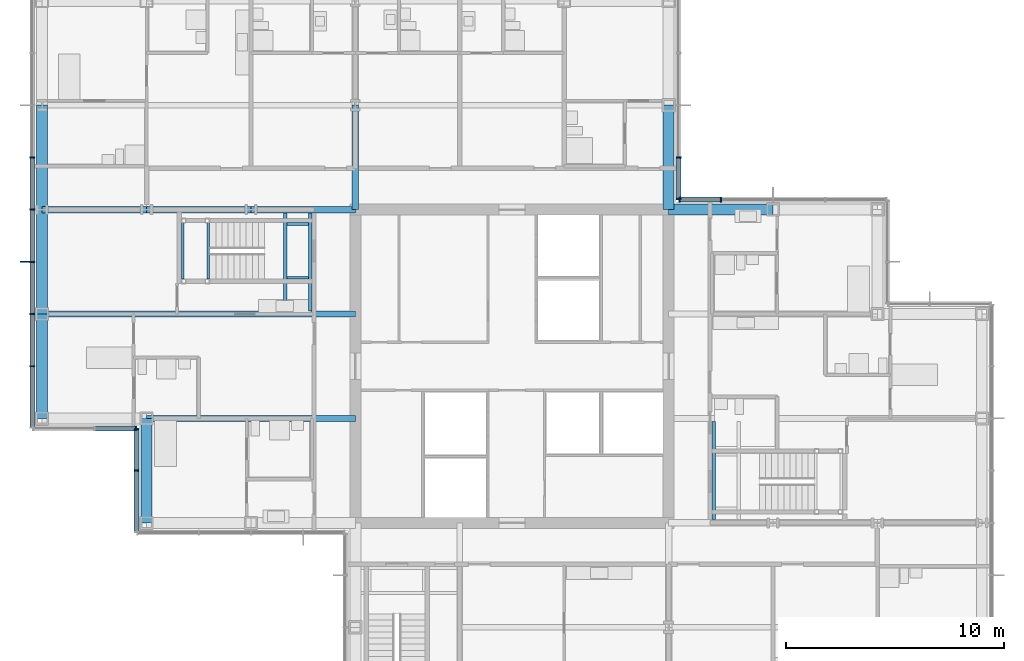
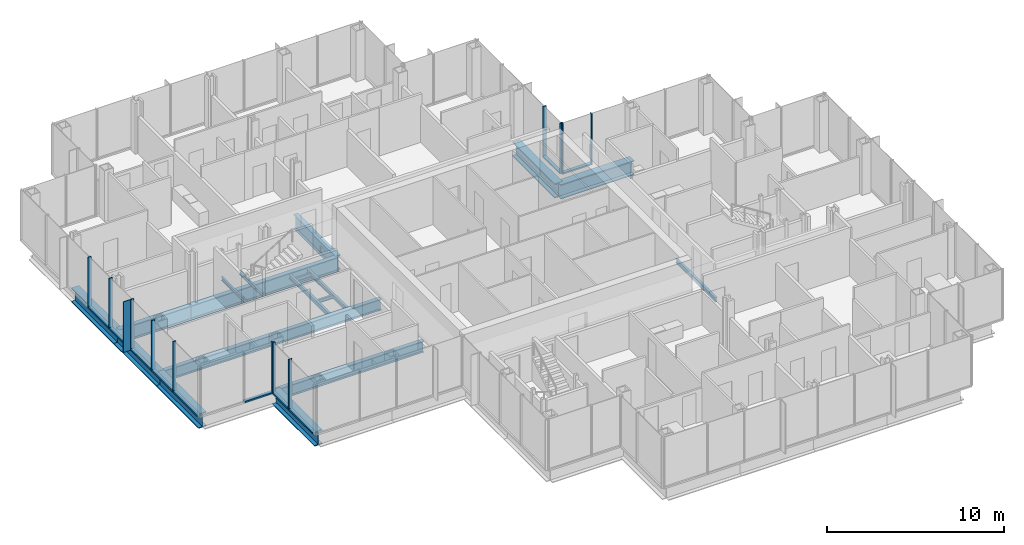
# One storey, part 7 of 20: 23 members, 19 beams, 5 elements without a shape of their own.
"""IFC4 building model written with IfcOpenShell, lengths in metres."""

from ifc_helpers import new_model, si_unit, direction, frame, origin, origin_2d, place, context, subcontext, project, spatial, rectangle, i_section, extrude, material, material_profile, profile_set, type_object, element, aggregate, save


model = new_model("IFC4")

# Units and contexts
model_context = context("Model", 3, precision=1e-05, world=origin(), true_north=direction((0.0, 1.0)))
body_context = subcontext(model_context, "Body", "Model", "MODEL_VIEW")
ifc_project = project(units=[si_unit("LENGTHUNIT", "METRE"), si_unit("AREAUNIT", "SQUARE_METRE"), si_unit("VOLUMEUNIT", "CUBIC_METRE"), si_unit("PLANEANGLEUNIT", "RADIAN"), si_unit("MASSUNIT", "GRAM", prefix="KILO")], contexts=[model_context])

# Site, building, storey
site_placement = place(None, origin())
site = spatial("IfcSite", under=ifc_project, at=site_placement, CompositionType="ELEMENT")
building_placement = place(site_placement, origin())
building = spatial("IfcBuilding", under=site, at=building_placement, Name="Kvirike Care Tower", CompositionType="ELEMENT")
storey_placement = place(building_placement, frame((0.0, 0.0, 115.5)))
storey = spatial("IfcBuildingStorey", under=building, at=storey_placement, Name="L31", CompositionType="ELEMENT", Elevation=115.5)

# Curtain wall, member
ifc_material_1 = material(Name="Anodised aluminium stick system", Category="aluminium")
curtain_wall_type = type_object("IfcCurtainWallType", Name="CW-B STICK CURTAIN WALL", PredefinedType="NOTDEFINED", material=ifc_material_1)
curtain_wall_1_placement = place(storey_placement, origin())
curtain_wall_1 = element("IfcCurtainWall", 1, at=curtain_wall_1_placement, inside=storey, type_object=curtain_wall_type, Name="Curtain wall L31 face 11", PredefinedType="NOTDEFINED")
ifc_material_2 = material(Name="Bronze anodised aluminium fin", Category="aluminium")
ifc_material_profile_1 = material_profile(ifc_material_2, rectangle(XDim=0.050048828125, YDim=0.449951171875, at=origin_2d()), Name="BRONZE FIN 450")
ifc_profile_set_1 = profile_set([ifc_material_profile_1], Name="Bronze anodised aluminium fin")
member_type_1 = type_object("IfcMemberType", Name="BRONZE FIN 450", PredefinedType="USERDEFINED", material=ifc_profile_set_1)
member_1_placement = place(storey_placement, frame((-0.794921875, 40.800048828125, 0.0), z_axis=(0.0, 0.0, 1.0), x_axis=(0.0, -1.0, 0.0)))
member_1 = element("IfcMember", 2, at=member_1_placement, type_object=member_type_1, Name="Bronze fin L31 face 11.6", ObjectType="FIN", PredefinedType="USERDEFINED", context=body_context, shape_type="SweptSolid", body=[
    extrude(rectangle(XDim=0.050048828125, YDim=0.449951171875, at=origin_2d()), origin(), (0.0, 0.0, 1.0), 3.5),
])

# Curtain wall, members
curtain_wall_2_placement = place(storey_placement, origin())
curtain_wall_2 = element("IfcCurtainWall", 3, at=curtain_wall_2_placement, inside=storey, type_object=curtain_wall_type, Name="Curtain wall L31 face 4", PredefinedType="NOTDEFINED")
ifc_material_3 = material(Name="Bronze anodised aluminium mullion", Category="aluminium")
ifc_material_profile_2 = material_profile(ifc_material_3, rectangle(XDim=0.06494140625, YDim=0.219970703125, at=origin_2d()), Name="CW-B MULLION 65x220")
ifc_profile_set_2 = profile_set([ifc_material_profile_2], Name="Bronze anodised aluminium mullion")
member_type_2 = type_object("IfcMemberType", Name="CW-B MULLION 65x220", PredefinedType="MULLION", material=ifc_profile_set_2)
member_2_placement = place(storey_placement, frame((31.199951171875, 43.659912109375, 0.0), z_axis=(0.0, 0.0, 1.0), x_axis=(-1.0, 0.0, 0.0)))
member_2 = element("IfcMember", 4, at=member_2_placement, type_object=member_type_2, Name="CW-B mullion L31 face 4.4", PredefinedType="MULLION", context=body_context, shape_type="SweptSolid", body=[
    extrude(rectangle(XDim=0.06494140625, YDim=0.219970703125, at=origin_2d()), origin(), (0.0, 0.0, 1.0), 3.5),
])
member_3_placement = place(storey_placement, frame((29.29248046875, 43.659912109375, 0.0), z_axis=(0.0, 0.0, 1.0), x_axis=(-1.0, 0.0, 0.0)))
member_3 = element("IfcMember", 5, at=member_3_placement, type_object=member_type_2, Name="CW-B mullion L31 face 4.5", PredefinedType="MULLION", context=body_context, shape_type="SweptSolid", body=[
    extrude(rectangle(XDim=0.06494140625, YDim=0.219970703125, at=origin_2d()), origin(), (0.0, 0.0, 1.0), 3.5),
])

curtain_wall_3_placement = place(storey_placement, origin())
curtain_wall_3 = element("IfcCurtainWall", 6, at=curtain_wall_3_placement, inside=storey, type_object=curtain_wall_type, Name="Curtain wall L31 face 5", PredefinedType="NOTDEFINED")
member_4_placement = place(storey_placement, frame((29.260009765625, 43.6923828125, 0.0), z_axis=(0.0, 0.0, 1.0), x_axis=(0.0, 1.0, 0.0)))
member_4 = element("IfcMember", 7, at=member_4_placement, type_object=member_type_2, Name="CW-B mullion L31 face 5.1", PredefinedType="MULLION", context=body_context, shape_type="SweptSolid", body=[
    extrude(rectangle(XDim=0.06494140625, YDim=0.219970703125, at=origin_2d()), origin(), (0.0, 0.0, 1.0), 3.5),
])
member_5_placement = place(storey_placement, frame((29.260009765625, 45.60009765625, 0.0), z_axis=(0.0, 0.0, 1.0), x_axis=(0.0, 1.0, 0.0)))
member_5 = element("IfcMember", 8, at=member_5_placement, type_object=member_type_2, Name="CW-B mullion L31 face 5.2", PredefinedType="MULLION", context=body_context, shape_type="SweptSolid", body=[
    extrude(rectangle(XDim=0.06494140625, YDim=0.219970703125, at=origin_2d()), origin(), (0.0, 0.0, 1.0), 3.5),
])

# Member
member_6_placement = place(storey_placement, frame((-0.4599609375, 45.60009765625, 0.0), z_axis=(0.0, 0.0, 1.0), x_axis=(0.0, -1.0, 0.0)))
member_6 = element("IfcMember", 9, at=member_6_placement, type_object=member_type_2, Name="CW-B mullion L31 face 11.4", PredefinedType="MULLION", context=body_context, shape_type="SweptSolid", body=[
    extrude(rectangle(XDim=0.06494140625, YDim=0.219970703125, at=origin_2d()), origin(), (0.0, 0.0, 1.0), 3.5),
])

member_7_placement = place(storey_placement, frame((-0.4599609375, 43.199951171875, 0.0), z_axis=(0.0, 0.0, 1.0), x_axis=(0.0, -1.0, 0.0)))
member_7 = element("IfcMember", 10, at=member_7_placement, type_object=member_type_2, Name="CW-B mullion L31 face 11.5", PredefinedType="MULLION", context=body_context, shape_type="SweptSolid", body=[
    extrude(rectangle(XDim=0.06494140625, YDim=0.219970703125, at=origin_2d()), origin(), (0.0, 0.0, 1.0), 3.5),
])

member_8_placement = place(storey_placement, frame((-0.4599609375, 40.800048828125, 0.0), z_axis=(0.0, 0.0, 1.0), x_axis=(0.0, -1.0, 0.0)))
member_8 = element("IfcMember", 11, at=member_8_placement, type_object=member_type_2, Name="CW-B mullion L31 face 11.6", PredefinedType="MULLION", context=body_context, shape_type="SweptSolid", body=[
    extrude(rectangle(XDim=0.06494140625, YDim=0.219970703125, at=origin_2d()), origin(), (0.0, 0.0, 1.0), 3.5),
])

member_9_placement = place(storey_placement, frame((-0.4599609375, 38.39990234375, 0.0), z_axis=(0.0, 0.0, 1.0), x_axis=(0.0, -1.0, 0.0)))
member_9 = element("IfcMember", 12, at=member_9_placement, type_object=member_type_2, Name="CW-B mullion L31 face 11.7", PredefinedType="MULLION", context=body_context, shape_type="SweptSolid", body=[
    extrude(rectangle(XDim=0.06494140625, YDim=0.219970703125, at=origin_2d()), origin(), (0.0, 0.0, 1.0), 3.5),
])

member_10_placement = place(storey_placement, frame((-0.4599609375, 36.0, 0.0), z_axis=(0.0, 0.0, 1.0), x_axis=(0.0, -1.0, 0.0)))
member_10 = element("IfcMember", 13, at=member_10_placement, type_object=member_type_2, Name="CW-B mullion L31 face 11.8", PredefinedType="MULLION", context=body_context, shape_type="SweptSolid", body=[
    extrude(rectangle(XDim=0.06494140625, YDim=0.219970703125, at=origin_2d()), origin(), (0.0, 0.0, 1.0), 3.5),
])

# Curtain wall, member
curtain_wall_4_placement = place(storey_placement, origin())
curtain_wall_4 = element("IfcCurtainWall", 14, at=curtain_wall_4_placement, inside=storey, type_object=curtain_wall_type, Name="Curtain wall L31 face 12", PredefinedType="NOTDEFINED")
member_11_placement = place(storey_placement, frame((4.3076171875, 33.139892578125, 0.0), z_axis=(0.0, 0.0, 1.0), x_axis=(1.0, 0.0, 0.0)))
member_11 = element("IfcMember", 15, at=member_11_placement, type_object=member_type_2, Name="CW-B mullion L31 face 12.3", PredefinedType="MULLION", context=body_context, shape_type="SweptSolid", body=[
    extrude(rectangle(XDim=0.06494140625, YDim=0.219970703125, at=origin_2d()), origin(), (0.0, 0.0, 1.0), 3.5),
])

# Curtain wall, members
curtain_wall_5_placement = place(storey_placement, origin())
curtain_wall_5 = element("IfcCurtainWall", 16, at=curtain_wall_5_placement, inside=storey, type_object=curtain_wall_type, Name="Curtain wall L31 face 13", PredefinedType="NOTDEFINED")
member_12_placement = place(storey_placement, frame((4.340087890625, 33.107421875, 0.0), z_axis=(0.0, 0.0, 1.0), x_axis=(0.0, -1.0, 0.0)))
member_12 = element("IfcMember", 17, at=member_12_placement, type_object=member_type_2, Name="CW-B mullion L31 face 13.1", PredefinedType="MULLION", context=body_context, shape_type="SweptSolid", body=[
    extrude(rectangle(XDim=0.06494140625, YDim=0.219970703125, at=origin_2d()), origin(), (0.0, 0.0, 1.0), 3.5),
])
member_13_placement = place(storey_placement, frame((4.340087890625, 31.199951171875, 0.0), z_axis=(0.0, 0.0, 1.0), x_axis=(0.0, -1.0, 0.0)))
member_13 = element("IfcMember", 18, at=member_13_placement, type_object=member_type_2, Name="CW-B mullion L31 face 13.2", PredefinedType="MULLION", context=body_context, shape_type="SweptSolid", body=[
    extrude(rectangle(XDim=0.06494140625, YDim=0.219970703125, at=origin_2d()), origin(), (0.0, 0.0, 1.0), 3.5),
])

# Member
ifc_material_4 = material(Name="Bronze anodised aluminium transom", Category="aluminium")
ifc_material_profile_3 = material_profile(ifc_material_4, rectangle(XDim=0.219970703125, YDim=0.10009765625, at=origin_2d()), Name="CW-B TRANSOM 220x100")
ifc_profile_set_3 = profile_set([ifc_material_profile_3], Name="Bronze anodised aluminium transom")
member_type_3 = type_object("IfcMemberType", Name="CW-B TRANSOM 220x100", PredefinedType="USERDEFINED", material=ifc_profile_set_3)
member_14_placement = place(storey_placement, frame((31.16748046875, 43.659912109375, 0.050048828125), z_axis=(-1.0, 0.0, 0.0), x_axis=(0.0, -1.0, 0.0)))
member_14 = element("IfcMember", 19, at=member_14_placement, type_object=member_type_3, Name="CW-B sill transom L31 face 4.4", ObjectType="TRANSOM", PredefinedType="USERDEFINED", context=body_context, shape_type="SweptSolid", body=[
    extrude(rectangle(XDim=0.219970703125, YDim=0.10009765625, at=origin_2d()), origin(), (0.0, 0.0, 1.0), 1.842529296875),
])

aggregate(curtain_wall_2, [member_2, member_3, member_14])

member_15_placement = place(storey_placement, frame((29.260009765625, 43.72509765625, 0.050048828125), z_axis=(0.0, 1.0, 0.0), x_axis=(-1.0, 0.0, 0.0)))
member_15 = element("IfcMember", 20, at=member_15_placement, type_object=member_type_3, Name="CW-B sill transom L31 face 5.1", ObjectType="TRANSOM", PredefinedType="USERDEFINED", context=body_context, shape_type="SweptSolid", body=[
    extrude(rectangle(XDim=0.219970703125, YDim=0.10009765625, at=origin_2d()), origin(), (0.0, 0.0, 1.0), 1.84228515625),
])

aggregate(curtain_wall_3, [member_4, member_5, member_15])

member_16_placement = place(storey_placement, frame((-0.4599609375, 45.5673828125, 0.050048828125), z_axis=(0.0, -1.0, 0.0), x_axis=(1.0, 0.0, 0.0)))
member_16 = element("IfcMember", 21, at=member_16_placement, type_object=member_type_3, Name="CW-B sill transom L31 face 11.4", ObjectType="TRANSOM", PredefinedType="USERDEFINED", context=body_context, shape_type="SweptSolid", body=[
    extrude(rectangle(XDim=0.219970703125, YDim=0.10009765625, at=origin_2d()), origin(), (0.0, 0.0, 1.0), 2.3349609375),
])

member_17_placement = place(storey_placement, frame((-0.4599609375, 43.16748046875, 0.050048828125), z_axis=(0.0, -1.0, 0.0), x_axis=(1.0, 0.0, 0.0)))
member_17 = element("IfcMember", 22, at=member_17_placement, type_object=member_type_3, Name="CW-B sill transom L31 face 11.5", ObjectType="TRANSOM", PredefinedType="USERDEFINED", context=body_context, shape_type="SweptSolid", body=[
    extrude(rectangle(XDim=0.219970703125, YDim=0.10009765625, at=origin_2d()), origin(), (0.0, 0.0, 1.0), 2.3349609375),
])

member_18_placement = place(storey_placement, frame((-0.4599609375, 40.767578125, 0.050048828125), z_axis=(0.0, -1.0, 0.0), x_axis=(1.0, 0.0, 0.0)))
member_18 = element("IfcMember", 23, at=member_18_placement, type_object=member_type_3, Name="CW-B sill transom L31 face 11.6", ObjectType="TRANSOM", PredefinedType="USERDEFINED", context=body_context, shape_type="SweptSolid", body=[
    extrude(rectangle(XDim=0.219970703125, YDim=0.10009765625, at=origin_2d()), origin(), (0.0, 0.0, 1.0), 2.3349609375),
])

member_19_placement = place(storey_placement, frame((-0.4599609375, 38.367431640625, 0.050048828125), z_axis=(0.0, -1.0, 0.0), x_axis=(1.0, 0.0, 0.0)))
member_19 = element("IfcMember", 24, at=member_19_placement, type_object=member_type_3, Name="CW-B sill transom L31 face 11.7", ObjectType="TRANSOM", PredefinedType="USERDEFINED", context=body_context, shape_type="SweptSolid", body=[
    extrude(rectangle(XDim=0.219970703125, YDim=0.10009765625, at=origin_2d()), origin(), (0.0, 0.0, 1.0), 2.3349609375),
])

member_20_placement = place(storey_placement, frame((-0.4599609375, 35.967529296875, 0.050048828125), z_axis=(0.0, -1.0, 0.0), x_axis=(1.0, 0.0, 0.0)))
member_20 = element("IfcMember", 25, at=member_20_placement, type_object=member_type_3, Name="CW-B sill transom L31 face 11.8", ObjectType="TRANSOM", PredefinedType="USERDEFINED", context=body_context, shape_type="SweptSolid", body=[
    extrude(rectangle(XDim=0.219970703125, YDim=0.10009765625, at=origin_2d()), origin(), (0.0, 0.0, 1.0), 2.762451171875),
])

aggregate(curtain_wall_1, [member_6, member_7, member_8, member_1, member_9, member_10, member_16, member_17, member_18, member_19, member_20])

member_21_placement = place(storey_placement, frame((2.4326171875, 33.139892578125, 0.050048828125), z_axis=(1.0, 0.0, 0.0), x_axis=(0.0, 1.0, 0.0)))
member_21 = element("IfcMember", 26, at=member_21_placement, type_object=member_type_3, Name="CW-B sill transom L31 face 12.2", ObjectType="TRANSOM", PredefinedType="USERDEFINED", context=body_context, shape_type="SweptSolid", body=[
    extrude(rectangle(XDim=0.219970703125, YDim=0.10009765625, at=origin_2d()), origin(), (0.0, 0.0, 1.0), 1.84228515625),
])

aggregate(curtain_wall_4, [member_11, member_21])

member_22_placement = place(storey_placement, frame((4.340087890625, 33.074951171875, 0.050048828125), z_axis=(0.0, -1.0, 0.0), x_axis=(1.0, 0.0, 0.0)))
member_22 = element("IfcMember", 27, at=member_22_placement, type_object=member_type_3, Name="CW-B sill transom L31 face 13.1", ObjectType="TRANSOM", PredefinedType="USERDEFINED", context=body_context, shape_type="SweptSolid", body=[
    extrude(rectangle(XDim=0.219970703125, YDim=0.10009765625, at=origin_2d()), origin(), (0.0, 0.0, 1.0), 1.842529296875),
])

member_23_placement = place(storey_placement, frame((4.340087890625, 31.16748046875, 0.050048828125), z_axis=(0.0, -1.0, 0.0), x_axis=(1.0, 0.0, 0.0)))
member_23 = element("IfcMember", 28, at=member_23_placement, type_object=member_type_3, Name="CW-B sill transom L31 face 13.2", ObjectType="TRANSOM", PredefinedType="USERDEFINED", context=body_context, shape_type="SweptSolid", body=[
    extrude(rectangle(XDim=0.219970703125, YDim=0.10009765625, at=origin_2d()), origin(), (0.0, 0.0, 1.0), 2.762451171875),
])

aggregate(curtain_wall_5, [member_12, member_13, member_22, member_23])

# Beams
ifc_material_5 = material(Name="Steel S355", Category="steel")
ifc_material_profile_4 = material_profile(ifc_material_5, i_section(OverallWidth=0.26806640625, OverallDepth=0.77001953125, WebThickness=0.015625, FlangeThickness=0.025390625, FilletRadius=0.01708984375, at=origin_2d()), Name="IPE 750x196")
ifc_profile_set_4 = profile_set([ifc_material_profile_4], Name="Steel S355")
beam_type_1 = type_object("IfcBeamType", Name="FLOOR BEAM IPE 750x196", PredefinedType="BEAM", material=ifc_profile_set_4)
beam_1_placement = place(storey_placement, frame((4.800048828125, 33.60009765625, -0.554931640625), z_axis=(1.0, 0.0, 0.0), x_axis=(0.0, 1.0, 0.0)))
element("IfcBeam", 29, at=beam_1_placement, inside=storey, type_object=beam_type_1, Name="Floor Beam H4-H6 L31", PredefinedType="BEAM", context=body_context, shape_type="SweptSolid", body=[
    extrude(i_section(OverallWidth=0.26806640625, OverallDepth=0.77001953125, WebThickness=0.015625, FlangeThickness=0.025390625, FilletRadius=0.01708984375, at=origin_2d()), origin(), (0.0, 0.0, 1.0), 9.599853515625),
])
beam_2_placement = place(storey_placement, frame((0.0, 38.39990234375, -0.554931640625), z_axis=(1.0, 0.0, 0.0), x_axis=(0.0, 1.0, 0.0)))
element("IfcBeam", 30, at=beam_2_placement, inside=storey, type_object=beam_type_1, Name="Floor Beam J3-J6 L31", PredefinedType="BEAM", context=body_context, shape_type="SweptSolid", body=[
    extrude(i_section(OverallWidth=0.26806640625, OverallDepth=0.77001953125, WebThickness=0.015625, FlangeThickness=0.025390625, FilletRadius=0.01708984375, at=origin_2d()), origin(), (0.0, 0.0, 1.0), 14.39990234375),
])
ifc_material_6 = material(Name="Steel S355", Category="steel")
ifc_material_profile_5 = material_profile(ifc_material_6, i_section(OverallWidth=0.300048828125, OverallDepth=1.0, WebThickness=0.01904296875, FlangeThickness=0.035888671875, FilletRadius=0.030029296875, at=origin_2d()), Name="HE 1000 B")
ifc_profile_set_5 = profile_set([ifc_material_profile_5], Name="Steel S355")
beam_type_2 = type_object("IfcBeamType", Name="FRAME BEAM HE 1000 B", PredefinedType="BEAM", material=ifc_profile_set_5)
for number, where, z_axis, x_axis, name in (
    (31, (0.0, 43.199951171875, -0.669921875), (1.0, 0.0, 0.0), (0.0, 1.0, 0.0), "Frame Beam K3-K4 L31"),
    (32, (4.800048828125, 43.199951171875, -0.669921875), (1.0, 0.0, 0.0), (0.0, 1.0, 0.0), "Frame Beam K4-K5 L31"),
):
    element("IfcBeam", number, at=place(storey_placement, frame(where, z_axis=z_axis, x_axis=x_axis)), inside=storey, type_object=beam_type_2, Name=name, PredefinedType="BEAM", context=body_context, shape_type="SweptSolid", body=[
        extrude(i_section(OverallWidth=0.300048828125, OverallDepth=1.0, WebThickness=0.01904296875, FlangeThickness=0.035888671875, FilletRadius=0.030029296875, at=origin_2d()), origin(), (0.0, 0.0, 1.0), 4.800048828125),
    ])
beam_3_placement = place(storey_placement, frame((9.60009765625, 43.199951171875, -0.669921875), z_axis=(1.0, 0.0, 0.0), x_axis=(0.0, 1.0, 0.0)))
element("IfcBeam", 33, at=beam_3_placement, inside=storey, type_object=beam_type_2, Name="Frame Beam K5-K6 L31", PredefinedType="BEAM", context=body_context, shape_type="SweptSolid", body=[
    extrude(i_section(OverallWidth=0.300048828125, OverallDepth=1.0, WebThickness=0.01904296875, FlangeThickness=0.035888671875, FilletRadius=0.030029296875, at=origin_2d()), origin(), (0.0, 0.0, 1.0), 4.7998046875),
])
beam_4_placement = place(storey_placement, frame((14.39990234375, 43.199951171875, -0.669921875), z_axis=(0.0, 1.0, 0.0), x_axis=(-1.0, 0.0, 0.0)))
element("IfcBeam", 34, at=beam_4_placement, inside=storey, type_object=beam_type_2, Name="Frame Beam K6-L6 L31", PredefinedType="BEAM", context=body_context, shape_type="SweptSolid", body=[
    extrude(i_section(OverallWidth=0.300048828125, OverallDepth=1.0, WebThickness=0.01904296875, FlangeThickness=0.035888671875, FilletRadius=0.030029296875, at=origin_2d()), origin(), (0.0, 0.0, 1.0), 4.800048828125),
])
ifc_material_7 = material(Name="Steel S355", Category="steel")
ifc_material_profile_6 = material_profile(ifc_material_7, i_section(OverallWidth=0.5, OverallDepth=1.0, WebThickness=0.030029296875, FlangeThickness=0.06005859375, at=origin_2d()), Name="PG 1000x500x30x60")
ifc_profile_set_6 = profile_set([ifc_material_profile_6], Name="Steel S355")
beam_type_3 = type_object("IfcBeamType", Name="SPANDREL PG 1000x500x30x60", PredefinedType="SPANDREL", material=ifc_profile_set_6)
beam_5_placement = place(storey_placement, frame((28.800048828125, 43.199951171875, -0.669921875), z_axis=(1.0, 0.0, 0.0), x_axis=(0.0, 1.0, 0.0)))
element("IfcBeam", 35, at=beam_5_placement, inside=storey, type_object=beam_type_3, Name="Spandrel K9-K10 L31", PredefinedType="SPANDREL", context=body_context, shape_type="SweptSolid", body=[
    extrude(i_section(OverallWidth=0.5, OverallDepth=1.0, WebThickness=0.030029296875, FlangeThickness=0.06005859375, at=origin_2d()), origin(), (0.0, 0.0, 1.0), 4.800048828125),
])
beam_6_placement = place(storey_placement, frame((0.0, 33.60009765625, -0.669921875), z_axis=(0.0, 1.0, 0.0), x_axis=(-1.0, 0.0, 0.0)))
element("IfcBeam", 36, at=beam_6_placement, inside=storey, type_object=beam_type_3, Name="Spandrel H3-J3 L31", PredefinedType="SPANDREL", context=body_context, shape_type="SweptSolid", body=[
    extrude(i_section(OverallWidth=0.5, OverallDepth=1.0, WebThickness=0.030029296875, FlangeThickness=0.06005859375, at=origin_2d()), origin(), (0.0, 0.0, 1.0), 4.7998046875),
])
for number, where, z_axis, x_axis, name in (
    (37, (0.0, 38.39990234375, -0.669921875), (0.0, 1.0, 0.0), (-1.0, 0.0, 0.0), "Spandrel J3-K3 L31"),
    (38, (0.0, 43.199951171875, -0.669921875), (0.0, 1.0, 0.0), (-1.0, 0.0, 0.0), "Spandrel K3-L3 L31"),
    (39, (4.800048828125, 28.800048828125, -0.669921875), (0.0, 1.0, 0.0), (-1.0, 0.0, 0.0), "Spandrel G4-H4 L31"),
    (40, (28.800048828125, 43.199951171875, -0.669921875), (0.0, 1.0, 0.0), (-1.0, 0.0, 0.0), "Spandrel K9-L9 L31"),
):
    element("IfcBeam", number, at=place(storey_placement, frame(where, z_axis=z_axis, x_axis=x_axis)), inside=storey, type_object=beam_type_3, Name=name, PredefinedType="SPANDREL", context=body_context, shape_type="SweptSolid", body=[
        extrude(i_section(OverallWidth=0.5, OverallDepth=1.0, WebThickness=0.030029296875, FlangeThickness=0.06005859375, at=origin_2d()), origin(), (0.0, 0.0, 1.0), 4.800048828125),
    ])
ifc_material_8 = material(Name="Steel S355", Category="steel")
ifc_material_profile_7 = material_profile(ifc_material_8, i_section(OverallWidth=0.1201171875, OverallDepth=0.239990234375, WebThickness=0.006103515625, FlangeThickness=0.009765625, FilletRadius=0.014892578125, at=origin_2d()), Name="IPE 240")
ifc_profile_set_7 = profile_set([ifc_material_profile_7], Name="Steel S355")
beam_type_4 = type_object("IfcBeamType", Name="STAIR LANDING BEAM IPE 240", PredefinedType="BEAM", material=ifc_profile_set_7)
for number, where, z_axis, x_axis, name in (
    (41, (6.4599609375, 42.60009765625, 1.429931640625), (0.0, -1.0, 0.0), (1.0, 0.0, 0.0), "Stair 1 landing beam back L31"),
    (42, (7.639892578125, 42.60009765625, 1.429931640625), (0.0, -1.0, 0.0), (1.0, 0.0, 0.0), "Stair 1 landing beam front L31"),
):
    element("IfcBeam", number, at=place(storey_placement, frame(where, z_axis=z_axis, x_axis=x_axis)), inside=storey, type_object=beam_type_4, Name=name, PredefinedType="BEAM", context=body_context, shape_type="SweptSolid", body=[
        extrude(i_section(OverallWidth=0.1201171875, OverallDepth=0.239990234375, WebThickness=0.006103515625, FlangeThickness=0.009765625, FilletRadius=0.014892578125, at=origin_2d()), origin(), (0.0, 0.0, 1.0), 2.60009765625),
    ])
for number, where, z_axis, x_axis, name in (
    (43, (11.25, 42.5400390625, -0.320068359375), (1.0, 0.0, 0.0), (0.0, 1.0, 0.0), "Stair 1 landing edge beam 1 L31"),
    (44, (11.25, 40.06005859375, -0.320068359375), (1.0, 0.0, 0.0), (0.0, 1.0, 0.0), "Stair 1 landing edge beam 2 L31"),
):
    element("IfcBeam", number, at=place(storey_placement, frame(where, z_axis=z_axis, x_axis=x_axis)), inside=storey, type_object=beam_type_4, Name=name, PredefinedType="BEAM", context=body_context, shape_type="SweptSolid", body=[
        extrude(i_section(OverallWidth=0.1201171875, OverallDepth=0.239990234375, WebThickness=0.006103515625, FlangeThickness=0.009765625, FilletRadius=0.014892578125, at=origin_2d()), origin(), (0.0, 0.0, 1.0), 1.0),
    ])
ifc_material_9 = material(Name="Steel S355", Category="steel")
ifc_material_profile_8 = material_profile(ifc_material_9, i_section(OverallWidth=0.14990234375, OverallDepth=0.300048828125, WebThickness=0.007080078125, FlangeThickness=0.0107421875, FilletRadius=0.014892578125, at=origin_2d()), Name="IPE 300")
ifc_profile_set_8 = profile_set([ifc_material_profile_8], Name="Steel S355")
beam_type_5 = type_object("IfcBeamType", Name="STAIR TRIMMER IPE 300", PredefinedType="BEAM", material=ifc_profile_set_8)
for number, where, z_axis, x_axis, name in (
    (45, (11.175048828125, 43.050048828125, -0.35009765625), (0.0, -1.0, 0.0), (1.0, 0.0, 0.0), "Stair 1 trimmer 1 L31"),
    (46, (12.324951171875, 43.050048828125, -0.35009765625), (0.0, -1.0, 0.0), (1.0, 0.0, 0.0), "Stair 1 trimmer 2 L31"),
    (47, (30.875, 28.949951171875, -0.35009765625), (0.0, 1.0, 0.0), (-1.0, 0.0, 0.0), "Stair 2 trimmer 2 L31"),
):
    element("IfcBeam", number, at=place(storey_placement, frame(where, z_axis=z_axis, x_axis=x_axis)), inside=storey, type_object=beam_type_5, Name=name, PredefinedType="BEAM", context=body_context, shape_type="SweptSolid", body=[
        extrude(i_section(OverallWidth=0.14990234375, OverallDepth=0.300048828125, WebThickness=0.007080078125, FlangeThickness=0.0107421875, FilletRadius=0.014892578125, at=origin_2d()), origin(), (0.0, 0.0, 1.0), 4.51611328125),
    ])

save(model, "model.ifc")
